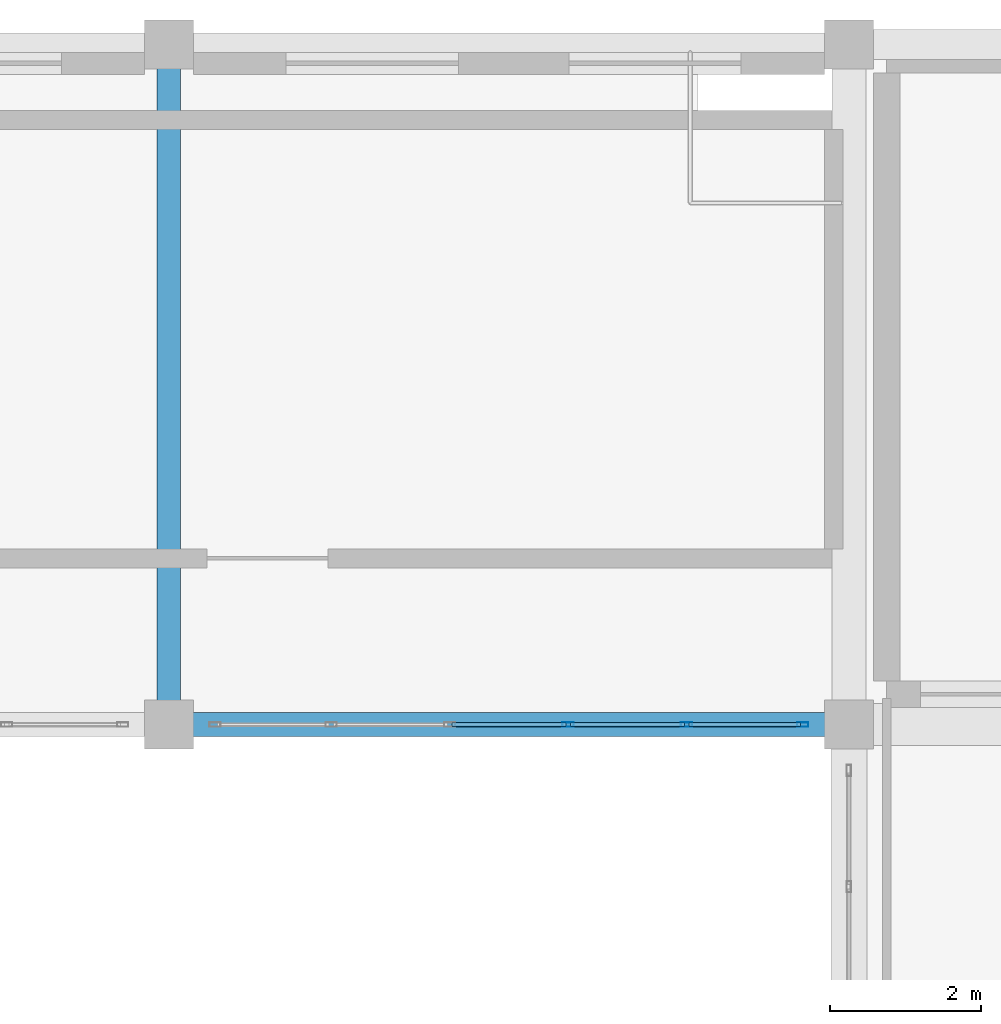
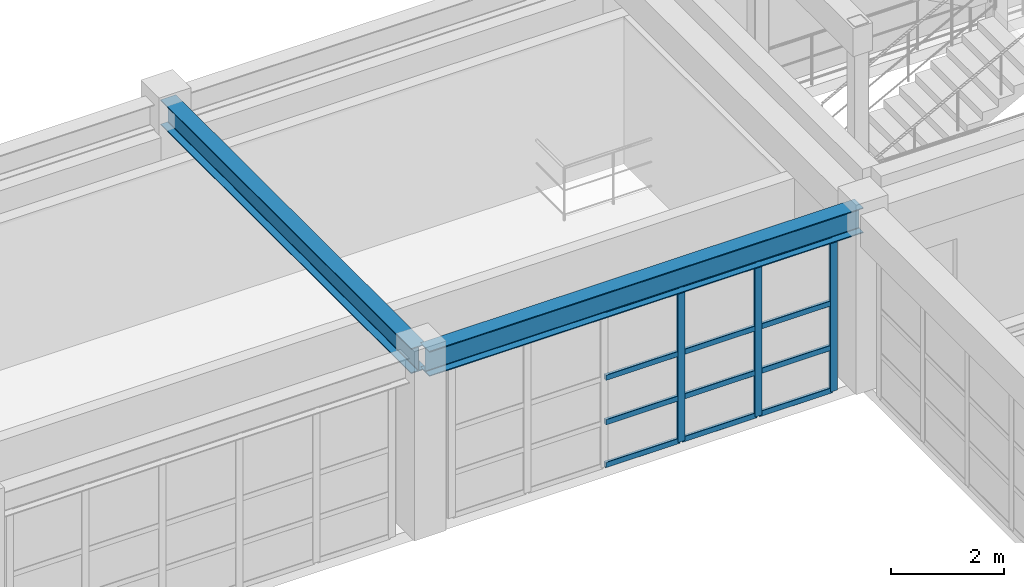
# One storey, part 68 of 110: 15 members, 2 beams, 1 element without a shape of its own.
"""IFC4 building model written with IfcOpenShell, lengths in metres."""

from ifc_helpers import new_model, si_unit, direction, frame, origin, origin_2d, place, context, subcontext, project, spatial, hollow_rectangle, i_section, extrude, material, material_profile, profile_set, type_object, element, aggregate, save


model = new_model("IFC4")

# Units and contexts
model_context = context("Model", 3, precision=1e-05, world=origin(), true_north=direction((0.0, 1.0)))
body_context = subcontext(model_context, "Body", "Model", "MODEL_VIEW")
ifc_project = project(units=[si_unit("LENGTHUNIT", "METRE"), si_unit("AREAUNIT", "SQUARE_METRE"), si_unit("VOLUMEUNIT", "CUBIC_METRE"), si_unit("PLANEANGLEUNIT", "RADIAN"), si_unit("MASSUNIT", "GRAM", prefix="KILO")], contexts=[model_context])

# Site, building, storey
site_placement = place(None, origin())
site = spatial("IfcSite", under=ifc_project, at=site_placement, CompositionType="ELEMENT")
building_placement = place(site_placement, origin())
building = spatial("IfcBuilding", under=site, at=building_placement, Name="Miravela Opera House", CompositionType="ELEMENT")
storey_placement = place(building_placement, frame((0.0, 0.0, 13.60009765625)))
storey = spatial("IfcBuildingStorey", under=building, at=storey_placement, Name="L03", CompositionType="ELEMENT", Elevation=13.60009765625)

# Curtain wall, members
ifc_material_1 = material(Name="Anodised architectural bronze aluminium 6063-T6", Category="aluminium")
curtain_wall_type = type_object("IfcCurtainWallType", Name="ARC-CW-05", PredefinedType="NOTDEFINED", material=ifc_material_1)
curtain_wall_placement = place(storey_placement, origin())
curtain_wall = element("IfcCurtainWall", 1, at=curtain_wall_placement, inside=storey, type_object=curtain_wall_type, Name="Courtyard Arcade Curtain Wall CW-L03-108", PredefinedType="NOTDEFINED")
ifc_material_profile_1 = material_profile(ifc_material_1, hollow_rectangle(XDim=0.06005859375, YDim=0.14990234375, WallThickness=0.00390625, InnerFilletRadius=0.001953125, OuterFilletRadius=0.00390625, at=origin_2d()), Name="CWM-60X150")
ifc_profile_set_1 = profile_set([ifc_material_profile_1])
member_type_1 = type_object("IfcMemberType", Name="ARC-CWM-150", PredefinedType="MULLION", material=ifc_profile_set_1)
member_1_placement = place(storey_placement, frame((59.283935546875, 103.0, 0.0), z_axis=(0.0, 0.0, 1.0), x_axis=(0.0, 1.0, 0.0)))
member_1 = element("IfcMember", 2, at=member_1_placement, type_object=member_type_1, Name="CW-05 mullion 4", PredefinedType="MULLION", context=body_context, shape_type="SweptSolid", body=[
    extrude(hollow_rectangle(XDim=0.06005859375, YDim=0.14990234375, WallThickness=0.00390625, InnerFilletRadius=0.001953125, OuterFilletRadius=0.00390625, at=origin_2d()), origin(), (0.0, 0.0, 1.0), 3.289794921875),
])
member_2_placement = place(storey_placement, frame((60.85205078125, 103.0, 0.0), z_axis=(0.0, 0.0, 1.0), x_axis=(0.0, 1.0, 0.0)))
member_2 = element("IfcMember", 3, at=member_2_placement, type_object=member_type_1, Name="CW-05 mullion 5", PredefinedType="MULLION", context=body_context, shape_type="SweptSolid", body=[
    extrude(hollow_rectangle(XDim=0.06005859375, YDim=0.14990234375, WallThickness=0.00390625, InnerFilletRadius=0.001953125, OuterFilletRadius=0.00390625, at=origin_2d()), origin(), (0.0, 0.0, 1.0), 3.289794921875),
])
member_3_placement = place(storey_placement, frame((62.389892578125, 103.0, 0.0), z_axis=(0.0, 0.0, 1.0), x_axis=(0.0, 1.0, 0.0)))
member_3 = element("IfcMember", 4, at=member_3_placement, type_object=member_type_1, Name="CW-05 mullion 6", PredefinedType="MULLION", context=body_context, shape_type="SweptSolid", body=[
    extrude(hollow_rectangle(XDim=0.06005859375, YDim=0.14990234375, WallThickness=0.00390625, InnerFilletRadius=0.001953125, OuterFilletRadius=0.00390625, at=origin_2d()), origin(), (0.0, 0.0, 1.0), 3.289794921875),
])
ifc_material_profile_2 = material_profile(ifc_material_1, hollow_rectangle(XDim=0.06005859375, YDim=0.114990234375, WallThickness=0.00390625, InnerFilletRadius=0.001953125, OuterFilletRadius=0.00390625, at=origin_2d()), Name="CWT-60X115")
ifc_profile_set_2 = profile_set([ifc_material_profile_2])
member_type_2 = type_object("IfcMemberType", Name="ARC-CWT-115", PredefinedType="USERDEFINED", material=ifc_profile_set_2)
member_4_placement = place(storey_placement, frame((57.74609375, 103.0, 0.02978515625), z_axis=(1.0, 0.0, 0.0), x_axis=(0.0, 1.0, 0.0)))
member_4 = element("IfcMember", 5, at=member_4_placement, type_object=member_type_2, Name="CW-05 transom 3.1", ObjectType="TRANSOM", PredefinedType="USERDEFINED", context=body_context, shape_type="SweptSolid", body=[
    extrude(hollow_rectangle(XDim=0.06005859375, YDim=0.114990234375, WallThickness=0.00390625, InnerFilletRadius=0.001953125, OuterFilletRadius=0.00390625, at=origin_2d()), origin(), (0.0, 0.0, 1.0), 1.5078125),
])
member_5_placement = place(storey_placement, frame((57.74609375, 103.0, 0.949951171875), z_axis=(1.0, 0.0, 0.0), x_axis=(0.0, 1.0, 0.0)))
member_5 = element("IfcMember", 6, at=member_5_placement, type_object=member_type_2, Name="CW-05 transom 3.2", ObjectType="TRANSOM", PredefinedType="USERDEFINED", context=body_context, shape_type="SweptSolid", body=[
    extrude(hollow_rectangle(XDim=0.06005859375, YDim=0.114990234375, WallThickness=0.00390625, InnerFilletRadius=0.001953125, OuterFilletRadius=0.00390625, at=origin_2d()), origin(), (0.0, 0.0, 1.0), 1.5078125),
])
member_6_placement = place(storey_placement, frame((57.74609375, 103.0, 1.908203125), z_axis=(1.0, 0.0, 0.0), x_axis=(0.0, 1.0, 0.0)))
member_6 = element("IfcMember", 7, at=member_6_placement, type_object=member_type_2, Name="CW-05 transom 3.3", ObjectType="TRANSOM", PredefinedType="USERDEFINED", context=body_context, shape_type="SweptSolid", body=[
    extrude(hollow_rectangle(XDim=0.06005859375, YDim=0.114990234375, WallThickness=0.00390625, InnerFilletRadius=0.001953125, OuterFilletRadius=0.00390625, at=origin_2d()), origin(), (0.0, 0.0, 1.0), 1.5078125),
])
member_7_placement = place(storey_placement, frame((57.74609375, 103.0, 3.260009765625), z_axis=(1.0, 0.0, 0.0), x_axis=(0.0, 1.0, 0.0)))
member_7 = element("IfcMember", 8, at=member_7_placement, type_object=member_type_2, Name="CW-05 transom 3.4", ObjectType="TRANSOM", PredefinedType="USERDEFINED", context=body_context, shape_type="SweptSolid", body=[
    extrude(hollow_rectangle(XDim=0.06005859375, YDim=0.114990234375, WallThickness=0.00390625, InnerFilletRadius=0.001953125, OuterFilletRadius=0.00390625, at=origin_2d()), origin(), (0.0, 0.0, 1.0), 1.5078125),
])
member_8_placement = place(storey_placement, frame((59.31396484375, 103.0, 0.02978515625), z_axis=(1.0, 0.0, 0.0), x_axis=(0.0, 1.0, 0.0)))
member_8 = element("IfcMember", 9, at=member_8_placement, type_object=member_type_2, Name="CW-05 transom 4.1", ObjectType="TRANSOM", PredefinedType="USERDEFINED", context=body_context, shape_type="SweptSolid", body=[
    extrude(hollow_rectangle(XDim=0.06005859375, YDim=0.114990234375, WallThickness=0.00390625, InnerFilletRadius=0.001953125, OuterFilletRadius=0.00390625, at=origin_2d()), origin(), (0.0, 0.0, 1.0), 1.508056640625),
])
member_9_placement = place(storey_placement, frame((59.31396484375, 103.0, 0.949951171875), z_axis=(1.0, 0.0, 0.0), x_axis=(0.0, 1.0, 0.0)))
member_9 = element("IfcMember", 10, at=member_9_placement, type_object=member_type_2, Name="CW-05 transom 4.2", ObjectType="TRANSOM", PredefinedType="USERDEFINED", context=body_context, shape_type="SweptSolid", body=[
    extrude(hollow_rectangle(XDim=0.06005859375, YDim=0.114990234375, WallThickness=0.00390625, InnerFilletRadius=0.001953125, OuterFilletRadius=0.00390625, at=origin_2d()), origin(), (0.0, 0.0, 1.0), 1.508056640625),
])
member_10_placement = place(storey_placement, frame((59.31396484375, 103.0, 1.908203125), z_axis=(1.0, 0.0, 0.0), x_axis=(0.0, 1.0, 0.0)))
member_10 = element("IfcMember", 11, at=member_10_placement, type_object=member_type_2, Name="CW-05 transom 4.3", ObjectType="TRANSOM", PredefinedType="USERDEFINED", context=body_context, shape_type="SweptSolid", body=[
    extrude(hollow_rectangle(XDim=0.06005859375, YDim=0.114990234375, WallThickness=0.00390625, InnerFilletRadius=0.001953125, OuterFilletRadius=0.00390625, at=origin_2d()), origin(), (0.0, 0.0, 1.0), 1.508056640625),
])
member_11_placement = place(storey_placement, frame((59.31396484375, 103.0, 3.260009765625), z_axis=(1.0, 0.0, 0.0), x_axis=(0.0, 1.0, 0.0)))
member_11 = element("IfcMember", 12, at=member_11_placement, type_object=member_type_2, Name="CW-05 transom 4.4", ObjectType="TRANSOM", PredefinedType="USERDEFINED", context=body_context, shape_type="SweptSolid", body=[
    extrude(hollow_rectangle(XDim=0.06005859375, YDim=0.114990234375, WallThickness=0.00390625, InnerFilletRadius=0.001953125, OuterFilletRadius=0.00390625, at=origin_2d()), origin(), (0.0, 0.0, 1.0), 1.508056640625),
])
member_12_placement = place(storey_placement, frame((60.882080078125, 103.0, 0.02978515625), z_axis=(1.0, 0.0, 0.0), x_axis=(0.0, 1.0, 0.0)))
member_12 = element("IfcMember", 13, at=member_12_placement, type_object=member_type_2, Name="CW-05 transom 5.1", ObjectType="TRANSOM", PredefinedType="USERDEFINED", context=body_context, shape_type="SweptSolid", body=[
    extrude(hollow_rectangle(XDim=0.06005859375, YDim=0.114990234375, WallThickness=0.00390625, InnerFilletRadius=0.001953125, OuterFilletRadius=0.00390625, at=origin_2d()), origin(), (0.0, 0.0, 1.0), 1.47802734375),
])
member_13_placement = place(storey_placement, frame((60.882080078125, 103.0, 0.949951171875), z_axis=(1.0, 0.0, 0.0), x_axis=(0.0, 1.0, 0.0)))
member_13 = element("IfcMember", 14, at=member_13_placement, type_object=member_type_2, Name="CW-05 transom 5.2", ObjectType="TRANSOM", PredefinedType="USERDEFINED", context=body_context, shape_type="SweptSolid", body=[
    extrude(hollow_rectangle(XDim=0.06005859375, YDim=0.114990234375, WallThickness=0.00390625, InnerFilletRadius=0.001953125, OuterFilletRadius=0.00390625, at=origin_2d()), origin(), (0.0, 0.0, 1.0), 1.47802734375),
])
member_14_placement = place(storey_placement, frame((60.882080078125, 103.0, 1.908203125), z_axis=(1.0, 0.0, 0.0), x_axis=(0.0, 1.0, 0.0)))
member_14 = element("IfcMember", 15, at=member_14_placement, type_object=member_type_2, Name="CW-05 transom 5.3", ObjectType="TRANSOM", PredefinedType="USERDEFINED", context=body_context, shape_type="SweptSolid", body=[
    extrude(hollow_rectangle(XDim=0.06005859375, YDim=0.114990234375, WallThickness=0.00390625, InnerFilletRadius=0.001953125, OuterFilletRadius=0.00390625, at=origin_2d()), origin(), (0.0, 0.0, 1.0), 1.47802734375),
])
member_15_placement = place(storey_placement, frame((60.882080078125, 103.0, 3.260009765625), z_axis=(1.0, 0.0, 0.0), x_axis=(0.0, 1.0, 0.0)))
member_15 = element("IfcMember", 16, at=member_15_placement, type_object=member_type_2, Name="CW-05 transom 5.4", ObjectType="TRANSOM", PredefinedType="USERDEFINED", context=body_context, shape_type="SweptSolid", body=[
    extrude(hollow_rectangle(XDim=0.06005859375, YDim=0.114990234375, WallThickness=0.00390625, InnerFilletRadius=0.001953125, OuterFilletRadius=0.00390625, at=origin_2d()), origin(), (0.0, 0.0, 1.0), 1.47802734375),
])
aggregate(curtain_wall, [member_1, member_2, member_3, member_4, member_5, member_6, member_7, member_8, member_9, member_10, member_11, member_12, member_13, member_14, member_15])

# Beams
ifc_material_2 = material(Name="Structural steel ASTM A992 Gr. 50", Category="steel")
ifc_material_profile_3 = material_profile(ifc_material_2, i_section(OverallWidth=0.31201171875, OverallDepth=0.54296875, WebThickness=0.0126953125, FlangeThickness=0.020263671875, FilletRadius=0.01611328125, at=origin_2d()), Name="W530X150")
ifc_profile_set_3 = profile_set([ifc_material_profile_3])
beam_type = type_object("IfcBeamType", Name="STR-BM-W530X150", PredefinedType="BEAM", material=ifc_profile_set_3)
for number, where, z_axis, x_axis, name in (
    (17, (54.080078125, 103.0, 3.568359375), (1.0, 0.0, 0.0), (0.0, 1.0, 0.0), "Roof Eave Girder ROOF-V3-WEST-N S5"),
    (18, (54.0, 103.080078125, 3.568359375), (0.0, 1.0, 0.0), (-1.0, 0.0, 0.0), "Roof King-Post Transverse Tie Girder ROOF-V3-WEST-N T4.1"),
):
    element("IfcBeam", number, at=place(storey_placement, frame(where, z_axis=z_axis, x_axis=x_axis)), inside=storey, type_object=beam_type, Name=name, PredefinedType="BEAM", context=body_context, shape_type="SweptSolid", body=[
        extrude(i_section(OverallWidth=0.31201171875, OverallDepth=0.54296875, WebThickness=0.0126953125, FlangeThickness=0.020263671875, FilletRadius=0.01611328125, at=origin_2d()), origin(), (0.0, 0.0, 1.0), 8.83984375),
    ])

save(model, "model.ifc")
